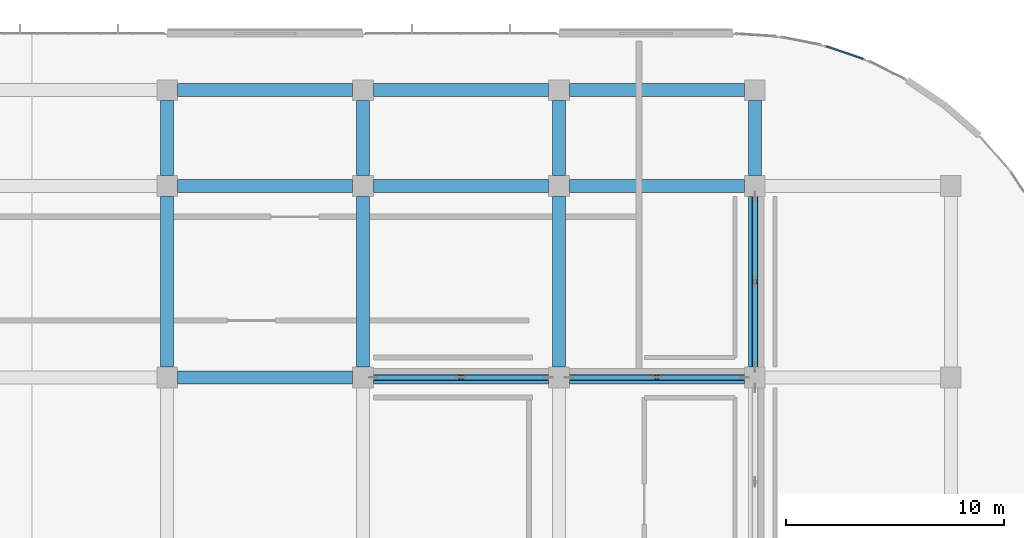
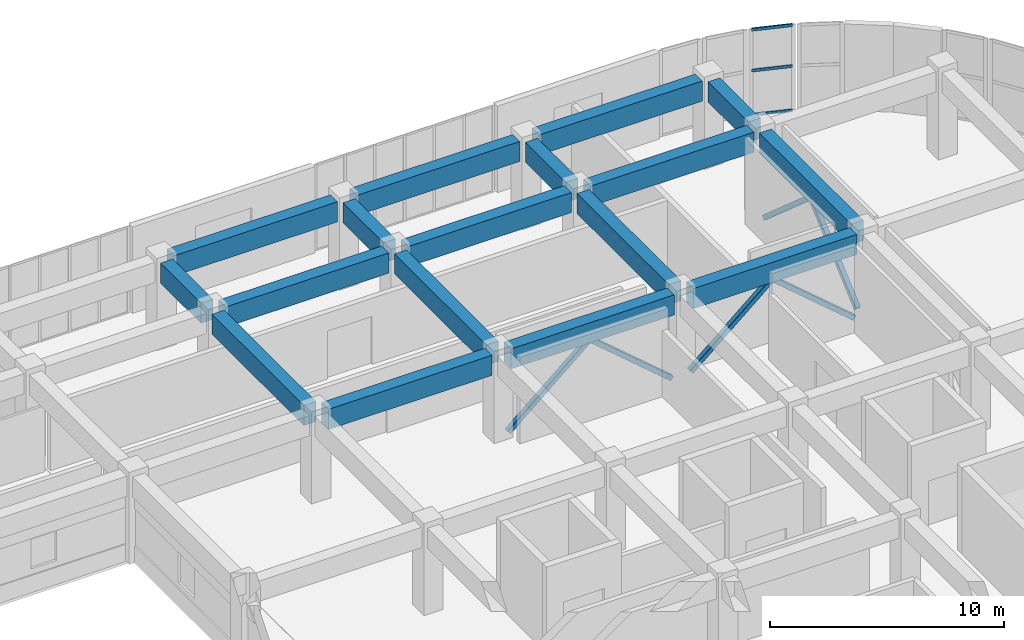
# One storey, part 40 of 86: 17 beams, 9 members, 1 element without a shape of its own.
"""IFC4 building model written with IfcOpenShell, lengths in metres."""

from ifc_helpers import new_model, si_unit, direction, frame, origin, origin_2d, place, context, subcontext, project, spatial, rectangle, hollow_rectangle, extrude, material, layer, layer_set, material_profile, profile_set, type_object, element, aggregate, save


model = new_model("IFC4")

# Units and contexts
model_context = context("Model", 3, precision=1e-05, world=origin(), true_north=direction((0.0, 1.0)))
body_context = subcontext(model_context, "Body", "Model", "MODEL_VIEW")
ifc_project = project(units=[si_unit("LENGTHUNIT", "METRE"), si_unit("AREAUNIT", "SQUARE_METRE"), si_unit("VOLUMEUNIT", "CUBIC_METRE"), si_unit("PLANEANGLEUNIT", "RADIAN"), si_unit("MASSUNIT", "GRAM", prefix="KILO")], contexts=[model_context])

# Site, building, storey
site_placement = place(None, origin())
site = spatial("IfcSite", under=ifc_project, at=site_placement, CompositionType="ELEMENT")
building_placement = place(site_placement, origin())
building = spatial("IfcBuilding", under=site, at=building_placement, Name="Cendralis Terraced Arcade", CompositionType="ELEMENT")
storey_placement = place(building_placement, frame((0.0, 0.0, 5.39990234375)))
storey = spatial("IfcBuildingStorey", under=building, at=storey_placement, Name="L01", CompositionType="ELEMENT", Elevation=5.39990234375)

# Beams
ifc_material_1 = material(Name="Concrete f'c 35 MPa", Category="concrete")
ifc_material_profile_1 = material_profile(ifc_material_1, rectangle(XDim=0.60009765625, YDim=1.050048828125, at=origin_2d()), Name="RC-BM-600x1050", Category="LoadBearing")
ifc_profile_set_1 = profile_set([ifc_material_profile_1], Name="Concrete f'c 35 MPa")
beam_type = type_object("IfcBeamType", Name="BM-600x1050", PredefinedType="JOIST", material=ifc_profile_set_1)
for number, where, z_axis, x_axis, name in (
    (1, (130.675048828125, 98.39990234375, 3.97998046875), (1.0, 0.0, 0.0), (0.0, 1.0, 0.0), "Reinforced Concrete Frame Beam BM-X-L02-L-15_16"),
    (2, (139.675048828125, 98.39990234375, 3.97998046875), (1.0, 0.0, 0.0), (0.0, 1.0, 0.0), "Reinforced Concrete Frame Beam BM-X-L02-L-16_17"),
    (3, (148.675048828125, 98.39990234375, 3.97998046875), (1.0, 0.0, 0.0), (0.0, 1.0, 0.0), "Reinforced Concrete Frame Beam BM-X-L02-L-17_18"),
    (4, (130.675048828125, 107.199951171875, 3.97998046875), (1.0, 0.0, 0.0), (0.0, 1.0, 0.0), "Reinforced Concrete Frame Beam BM-X-L02-M-15_16"),
    (5, (139.675048828125, 107.199951171875, 3.97998046875), (1.0, 0.0, 0.0), (0.0, 1.0, 0.0), "Reinforced Concrete Frame Beam BM-X-L02-M-16_17"),
    (6, (148.675048828125, 107.199951171875, 3.97998046875), (1.0, 0.0, 0.0), (0.0, 1.0, 0.0), "Reinforced Concrete Frame Beam BM-X-L02-M-17_18"),
    (7, (130.675048828125, 111.60009765625, 3.97998046875), (1.0, 0.0, 0.0), (0.0, 1.0, 0.0), "Reinforced Concrete Frame Beam BM-X-L02-N-15_16"),
    (8, (139.675048828125, 111.60009765625, 3.97998046875), (1.0, 0.0, 0.0), (0.0, 1.0, 0.0), "Reinforced Concrete Frame Beam BM-X-L02-N-16_17"),
    (9, (148.675048828125, 111.60009765625, 3.97998046875), (1.0, 0.0, 0.0), (0.0, 1.0, 0.0), "Reinforced Concrete Frame Beam BM-X-L02-N-17_18"),
):
    element("IfcBeam", number, at=place(storey_placement, frame(where, z_axis=z_axis, x_axis=x_axis)), inside=storey, type_object=beam_type, Name=name, PredefinedType="JOIST", context=body_context, shape_type="SweptSolid", body=[
        extrude(rectangle(XDim=0.60009765625, YDim=1.050048828125, at=origin_2d()), origin(), (0.0, 0.0, 1.0), 8.050048828125),
    ])
beam_1_placement = place(storey_placement, frame((130.199951171875, 98.875, 3.97998046875), z_axis=(0.0, 1.0, 0.0), x_axis=(-1.0, 0.0, 0.0)))
element("IfcBeam", 10, at=beam_1_placement, inside=storey, type_object=beam_type, Name="Reinforced Concrete Frame Beam BM-Y-L02-15-L_M", PredefinedType="JOIST", context=body_context, shape_type="SweptSolid", body=[
    extrude(rectangle(XDim=0.60009765625, YDim=1.050048828125, at=origin_2d()), origin(), (0.0, 0.0, 1.0), 7.85009765625),
])
beam_2_placement = place(storey_placement, frame((130.199951171875, 107.675048828125, 3.97998046875), z_axis=(0.0, 1.0, 0.0), x_axis=(-1.0, 0.0, 0.0)))
element("IfcBeam", 11, at=beam_2_placement, inside=storey, type_object=beam_type, Name="Reinforced Concrete Frame Beam BM-Y-L02-15-M_N", PredefinedType="JOIST", context=body_context, shape_type="SweptSolid", body=[
    extrude(rectangle(XDim=0.60009765625, YDim=1.050048828125, at=origin_2d()), origin(), (0.0, 0.0, 1.0), 3.449951171875),
])
beam_3_placement = place(storey_placement, frame((139.199951171875, 98.875, 3.97998046875), z_axis=(0.0, 1.0, 0.0), x_axis=(-1.0, 0.0, 0.0)))
element("IfcBeam", 12, at=beam_3_placement, inside=storey, type_object=beam_type, Name="Reinforced Concrete Frame Beam BM-Y-L02-16-L_M", PredefinedType="JOIST", context=body_context, shape_type="SweptSolid", body=[
    extrude(rectangle(XDim=0.60009765625, YDim=1.050048828125, at=origin_2d()), origin(), (0.0, 0.0, 1.0), 7.85009765625),
])
beam_4_placement = place(storey_placement, frame((139.199951171875, 107.675048828125, 3.97998046875), z_axis=(0.0, 1.0, 0.0), x_axis=(-1.0, 0.0, 0.0)))
element("IfcBeam", 13, at=beam_4_placement, inside=storey, type_object=beam_type, Name="Reinforced Concrete Frame Beam BM-Y-L02-16-M_N", PredefinedType="JOIST", context=body_context, shape_type="SweptSolid", body=[
    extrude(rectangle(XDim=0.60009765625, YDim=1.050048828125, at=origin_2d()), origin(), (0.0, 0.0, 1.0), 3.449951171875),
])
beam_5_placement = place(storey_placement, frame((148.199951171875, 98.875, 3.97998046875), z_axis=(0.0, 1.0, 0.0), x_axis=(-1.0, 0.0, 0.0)))
element("IfcBeam", 14, at=beam_5_placement, inside=storey, type_object=beam_type, Name="Reinforced Concrete Frame Beam BM-Y-L02-17-L_M", PredefinedType="JOIST", context=body_context, shape_type="SweptSolid", body=[
    extrude(rectangle(XDim=0.60009765625, YDim=1.050048828125, at=origin_2d()), origin(), (0.0, 0.0, 1.0), 7.85009765625),
])
beam_6_placement = place(storey_placement, frame((148.199951171875, 107.675048828125, 3.97998046875), z_axis=(0.0, 1.0, 0.0), x_axis=(-1.0, 0.0, 0.0)))
element("IfcBeam", 15, at=beam_6_placement, inside=storey, type_object=beam_type, Name="Reinforced Concrete Frame Beam BM-Y-L02-17-M_N", PredefinedType="JOIST", context=body_context, shape_type="SweptSolid", body=[
    extrude(rectangle(XDim=0.60009765625, YDim=1.050048828125, at=origin_2d()), origin(), (0.0, 0.0, 1.0), 3.449951171875),
])
beam_7_placement = place(storey_placement, frame((157.199951171875, 98.875, 3.97998046875), z_axis=(0.0, 1.0, 0.0), x_axis=(-1.0, 0.0, 0.0)))
element("IfcBeam", 16, at=beam_7_placement, inside=storey, type_object=beam_type, Name="Reinforced Concrete Frame Beam BM-Y-L02-18-L_M", PredefinedType="JOIST", context=body_context, shape_type="SweptSolid", body=[
    extrude(rectangle(XDim=0.60009765625, YDim=1.050048828125, at=origin_2d()), origin(), (0.0, 0.0, 1.0), 7.85009765625),
])
beam_8_placement = place(storey_placement, frame((157.199951171875, 107.675048828125, 3.97998046875), z_axis=(0.0, 1.0, 0.0), x_axis=(-1.0, 0.0, 0.0)))
element("IfcBeam", 17, at=beam_8_placement, inside=storey, type_object=beam_type, Name="Reinforced Concrete Frame Beam BM-Y-L02-18-M_N", PredefinedType="JOIST", context=body_context, shape_type="SweptSolid", body=[
    extrude(rectangle(XDim=0.60009765625, YDim=1.050048828125, at=origin_2d()), origin(), (0.0, 0.0, 1.0), 3.449951171875),
])

# Curtain wall, members
ifc_material_2 = material(Name="Anodised aluminium EN AW-6063 T6", Category="aluminium")
ifc_layer = layer(ifc_material_2, 0.179931640625, Name="CW-UNIT-A")
ifc_layer_set = layer_set([ifc_layer], Name="Anodised aluminium EN AW-6063 T6")
curtain_wall_type = type_object("IfcCurtainWallType", Name="CW-UNIT-A", PredefinedType="USERDEFINED", material=ifc_layer_set)
curtain_wall_placement = place(storey_placement, origin())
curtain_wall = element("IfcCurtainWall", 18, at=curtain_wall_placement, inside=storey, type_object=curtain_wall_type, Name="Exterior Unitised Facade CW-L01-0058", ObjectType="UNITISED FACADE", PredefinedType="USERDEFINED")
ifc_material_profile_2 = material_profile(ifc_material_2, rectangle(XDim=0.06494140625, YDim=0.14990234375, at=origin_2d()), Name="ALU-TRN-65x150")
ifc_profile_set_2 = profile_set([ifc_material_profile_2], Name="Anodised aluminium EN AW-6063 T6")
member_type_1 = type_object("IfcMemberType", Name="CW-UNIT-A-TRN", PredefinedType="USERDEFINED", material=ifc_profile_set_2)
member_1_placement = place(storey_placement, frame((160.48779296875, 113.60498046875, 0.03271484375), z_axis=(0.94695786821, -0.321357738098, 0.0), x_axis=(0.321357738098, 0.94695786821, 0.0)))
member_1 = element("IfcMember", 19, at=member_1_placement, type_object=member_type_1, Name="CW-U1 transom 1.1", ObjectType="TRANSOM", PredefinedType="USERDEFINED", context=body_context, shape_type="SweptSolid", body=[
    extrude(rectangle(XDim=0.06494140625, YDim=0.14990234375, at=origin_2d()), origin(), (0.0, 0.0, 1.0), 1.782958984375),
])
member_2_placement = place(storey_placement, frame((160.48779296875, 113.60498046875, 2.3427734375), z_axis=(0.94695786821, -0.321357738098, 0.0), x_axis=(0.321357738098, 0.94695786821, 0.0)))
member_2 = element("IfcMember", 20, at=member_2_placement, type_object=member_type_1, Name="CW-U1 transom 1.2", ObjectType="TRANSOM", PredefinedType="USERDEFINED", context=body_context, shape_type="SweptSolid", body=[
    extrude(rectangle(XDim=0.06494140625, YDim=0.14990234375, at=origin_2d()), origin(), (0.0, 0.0, 1.0), 1.782958984375),
])
member_3_placement = place(storey_placement, frame((160.48779296875, 113.60498046875, 4.47265625), z_axis=(0.94695786821, -0.321357738098, 0.0), x_axis=(0.321357738098, 0.94695786821, 0.0)))
member_3 = element("IfcMember", 21, at=member_3_placement, type_object=member_type_1, Name="CW-U1 transom 1.3", ObjectType="TRANSOM", PredefinedType="USERDEFINED", context=body_context, shape_type="SweptSolid", body=[
    extrude(rectangle(XDim=0.06494140625, YDim=0.14990234375, at=origin_2d()), origin(), (0.0, 0.0, 1.0), 1.782958984375),
])
aggregate(curtain_wall, [member_1, member_2, member_3])

# Members
ifc_material_3 = material(Name="Steel ASTM A572 Grade 50", Category="steel")
ifc_material_profile_3 = material_profile(ifc_material_3, hollow_rectangle(XDim=0.25, YDim=0.25, WallThickness=0.010009765625, InnerFilletRadius=0.010009765625, OuterFilletRadius=0.02001953125, at=origin_2d()), Name="HSS250X250X10", Category="LoadBearing")
ifc_profile_set_3 = profile_set([ifc_material_profile_3], Name="Steel ASTM A572 Grade 50")
member_type_2 = type_object("IfcMemberType", Name="MEM-BRC-HSS250", PredefinedType="BRACE", material=ifc_profile_set_3)
member_4_placement = place(storey_placement, frame((139.675048828125, 98.39990234375, 0.02001953125), z_axis=(0.760642294242, 0.0, 0.649171241052), x_axis=(0.0, 1.0, 0.0)))
element("IfcMember", 22, at=member_4_placement, inside=storey, type_object=member_type_2, Name="Chevron Steel Lateral Frame Brace BRC-L01-003", PredefinedType="BRACE", context=body_context, shape_type="SweptSolid", body=[
    extrude(hollow_rectangle(XDim=0.25, YDim=0.25, WallThickness=0.010009765625, InnerFilletRadius=0.010009765625, OuterFilletRadius=0.02001953125, at=origin_2d()), origin(), (0.0, 0.0, 1.0), 5.29150390625),
])
member_5_placement = place(storey_placement, frame((147.72509765625, 98.39990234375, 0.02001953125), z_axis=(-0.760661737134, 0.0, 0.649148458875), x_axis=(0.0, -1.0, 0.0)))
element("IfcMember", 23, at=member_5_placement, inside=storey, type_object=member_type_2, Name="Chevron Steel Lateral Frame Brace BRC-L01-004", PredefinedType="BRACE", context=body_context, shape_type="SweptSolid", body=[
    extrude(hollow_rectangle(XDim=0.25, YDim=0.25, WallThickness=0.010009765625, InnerFilletRadius=0.010009765625, OuterFilletRadius=0.02001953125, at=origin_2d()), origin(), (0.0, 0.0, 1.0), 5.291748046875),
])
member_6_placement = place(storey_placement, frame((148.675048828125, 98.39990234375, 0.02001953125), z_axis=(0.760642294242, 0.0, 0.649171241052), x_axis=(0.0, 1.0, 0.0)))
element("IfcMember", 24, at=member_6_placement, inside=storey, type_object=member_type_2, Name="Chevron Steel Lateral Frame Brace BRC-L01-011", PredefinedType="BRACE", context=body_context, shape_type="SweptSolid", body=[
    extrude(hollow_rectangle(XDim=0.25, YDim=0.25, WallThickness=0.010009765625, InnerFilletRadius=0.010009765625, OuterFilletRadius=0.02001953125, at=origin_2d()), origin(), (0.0, 0.0, 1.0), 5.29150390625),
])
member_7_placement = place(storey_placement, frame((156.72509765625, 98.39990234375, 0.02001953125), z_axis=(-0.760661737134, 0.0, 0.649148458875), x_axis=(0.0, -1.0, 0.0)))
element("IfcMember", 25, at=member_7_placement, inside=storey, type_object=member_type_2, Name="Chevron Steel Lateral Frame Brace BRC-L01-012", PredefinedType="BRACE", context=body_context, shape_type="SweptSolid", body=[
    extrude(hollow_rectangle(XDim=0.25, YDim=0.25, WallThickness=0.010009765625, InnerFilletRadius=0.010009765625, OuterFilletRadius=0.02001953125, at=origin_2d()), origin(), (0.0, 0.0, 1.0), 5.291748046875),
])
for number, where, z_axis, x_axis, name in (
    (26, (157.199951171875, 98.875, 0.02001953125), (0.0, 0.752515800995, 0.65857419419), (-1.0, 0.0, 0.0), "Chevron Steel Lateral Frame Brace BRC-L01-027"),
    (27, (157.199951171875, 106.72509765625, 0.02001953125), (0.0, -0.752515800995, 0.65857419419), (1.0, 0.0, 0.0), "Chevron Steel Lateral Frame Brace BRC-L01-028"),
):
    element("IfcMember", number, at=place(storey_placement, frame(where, z_axis=z_axis, x_axis=x_axis)), inside=storey, type_object=member_type_2, Name=name, PredefinedType="BRACE", context=body_context, shape_type="SweptSolid", body=[
        extrude(hollow_rectangle(XDim=0.25, YDim=0.25, WallThickness=0.010009765625, InnerFilletRadius=0.010009765625, OuterFilletRadius=0.02001953125, at=origin_2d()), origin(), (0.0, 0.0, 1.0), 5.2158203125),
    ])

save(model, "model.ifc")
